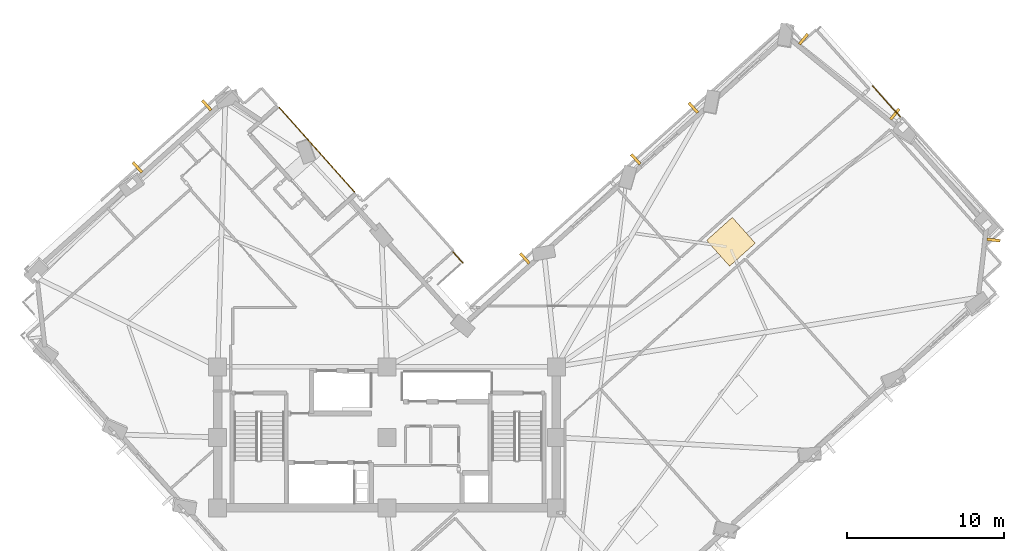
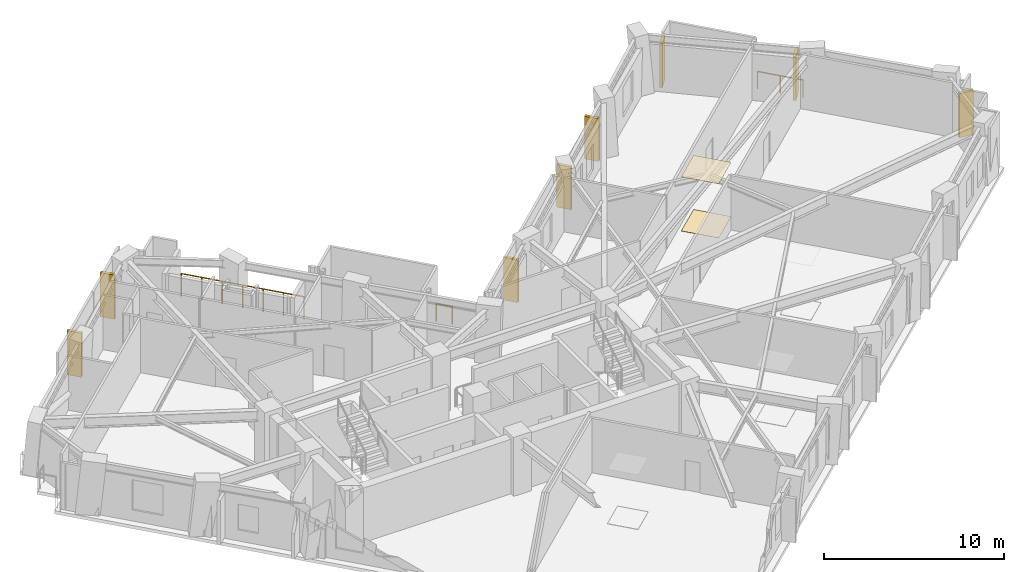
# One storey, part 13 of 14: 8 shading devices, 3 railings, 2 coverings.
"""IFC4 building model written with IfcOpenShell, lengths in metres."""

from ifc_helpers import new_model, si_unit, direction, frame, origin, origin_2d, place, context, subcontext, project, spatial, rectangle, circle, extrude, material, layer, layer_set, type_object, element, save


model = new_model("IFC4")

# Units and contexts
model_context = context("Model", 3, precision=1e-05, world=origin(), true_north=direction((0.0, 1.0)))
body_context = subcontext(model_context, "Body", "Model", "MODEL_VIEW")
ifc_project = project(units=[si_unit("LENGTHUNIT", "METRE"), si_unit("AREAUNIT", "SQUARE_METRE"), si_unit("VOLUMEUNIT", "CUBIC_METRE"), si_unit("PLANEANGLEUNIT", "RADIAN"), si_unit("MASSUNIT", "GRAM", prefix="KILO")], contexts=[model_context])

# Site, building, storey
site_placement = place(None, origin())
site = spatial("IfcSite", under=ifc_project, at=site_placement, CompositionType="ELEMENT")
building_placement = place(site_placement, origin())
building = spatial("IfcBuilding", under=site, at=building_placement, Name="Gaonmaruhae Medical Tower", CompositionType="ELEMENT")
storey_placement = place(building_placement, frame((0.0, 0.0, 201.800048828125)))
storey = spatial("IfcBuildingStorey", under=building, at=storey_placement, Name="L48", CompositionType="ELEMENT", Elevation=201.800048828125)

# Coverings
ifc_material_1 = material(Name="Acoustic mineral ceiling tile", Category="finish")
ifc_layer_1 = layer(ifc_material_1, 0.02490234375)
ifc_layer_set_1 = layer_set([ifc_layer_1], Name="Acoustic mineral ceiling tile")
covering_type_1 = type_object("IfcCoveringType", Name="CLG-01 Antimicrobial Acoustic Mineral Ceiling", PredefinedType="CEILING", material=ifc_layer_set_1)
covering_1_placement = place(storey_placement, frame((46.733154296875, 24.771484375, 3.675048828125), z_axis=(0.0, 0.0, 1.0), x_axis=(0.745475999683, 0.666532470249, 0.0)))
element("IfcCovering", 1, at=covering_1_placement, inside=storey, type_object=covering_type_1, Name="L48 Clinical Corridor Acoustic Ceiling", PredefinedType="CEILING", context=body_context, shape_type="SweptSolid", body=[
    extrude(rectangle(XDim=2.199951171875, YDim=2.199951171875, at=origin_2d()), origin(), (0.0, 0.0, 1.0), 0.02490234375),
])
ifc_material_2 = material(Name="Seamless clinical vinyl flooring", Category="finish")
ifc_layer_2 = layer(ifc_material_2, 0.014892578125)
ifc_layer_set_2 = layer_set([ifc_layer_2], Name="Seamless clinical vinyl flooring")
covering_type_2 = type_object("IfcCoveringType", Name="FLR-01 Seamless Clinical Antistatic Vinyl Flooring", PredefinedType="FLOORING", material=ifc_layer_set_2)
covering_2_placement = place(storey_placement, frame((46.733154296875, 24.771484375, 0.00048828125), z_axis=(0.0, 0.0, 1.0), x_axis=(0.745475999683, 0.666532470249, 0.0)))
element("IfcCovering", 2, at=covering_2_placement, inside=storey, type_object=covering_type_2, Name="L48 Clinical Corridor Vinyl Flooring", PredefinedType="FLOORING", context=body_context, shape_type="SweptSolid", body=[
    extrude(rectangle(XDim=2.199951171875, YDim=2.199951171875, at=origin_2d()), origin(), (0.0, 0.0, 1.0), 0.014892578125),
])

# Railings
ifc_material_3 = material(Name="Stainless steel 316L and laminated safety glass", Category="steel")
ifc_layer_3 = layer(ifc_material_3, 0.080078125)
ifc_layer_set_3 = layer_set([ifc_layer_3], Name="Stainless steel 316L and laminated safety glass")
railing_type_1 = type_object("IfcRailingType", Name="GD-120 Outdoor Terrace Safety Glass & Steel Balustrade", PredefinedType="BALUSTRADE", material=ifc_layer_set_3)
railing_1_placement = place(storey_placement, frame((55.7744140625, 34.701416015625, 0.0)))
element("IfcRailing", 3, at=railing_1_placement, inside=storey, type_object=railing_type_1, Name="L48 Perimeter Slab Edge Safety Balustrade 02", PredefinedType="BALUSTRADE", context=body_context, shape_type="SweptSolid", body=[
    extrude(circle(Radius=0.02392578125, at=origin_2d()), frame((0.0, 0.0, 1.17578125), z_axis=(0.666486247139, -0.745517325335, 0.0), x_axis=(0.745517325335, 0.666486247139, 0.0)), (0.0, 0.0, 1.0), 2.65966796875),
    extrude(circle(Radius=0.02099609375, at=origin_2d()), origin(), (0.0, 0.0, 1.0), 1.15185546875),
    extrude(circle(Radius=0.02099609375, at=origin_2d()), frame((0.88623046875, -0.991455078125, 0.0)), (0.0, 0.0, 1.0), 1.15185546875),
    extrude(circle(Radius=0.02099609375, at=origin_2d()), frame((1.772705078125, -1.98291015625, 0.0)), (0.0, 0.0, 1.0), 1.15185546875),
])
railing_2_placement = place(storey_placement, frame((29.010009765625, 24.12744140625, 0.0)))
element("IfcRailing", 4, at=railing_2_placement, inside=storey, type_object=railing_type_1, Name="L48 Perimeter Slab Edge Safety Balustrade 09", PredefinedType="BALUSTRADE", context=body_context, shape_type="SweptSolid", body=[
    extrude(circle(Radius=0.02392578125, at=origin_2d()), frame((0.0, 0.0, 1.17578125), z_axis=(0.666574193848, -0.745438692379, 0.0), x_axis=(0.745438692379, 0.666574193848, 0.0)), (0.0, 0.0, 1.0), 0.93798828125),
    extrude(circle(Radius=0.02099609375, at=origin_2d()), origin(), (0.0, 0.0, 1.0), 1.15185546875),
    extrude(circle(Radius=0.02099609375, at=origin_2d()), frame((0.625244140625, -0.69921875, 0.0)), (0.0, 0.0, 1.0), 1.15185546875),
])
ifc_layer_4 = layer(ifc_material_3, 0.080078125)
ifc_layer_set_4 = layer_set([ifc_layer_4], Name="Stainless steel 316L and laminated safety glass")
railing_type_2 = type_object("IfcRailingType", Name="GD-155 Planter-Edge Raised Safety Balustrade", PredefinedType="BALUSTRADE", material=ifc_layer_set_4)
railing_3_placement = place(storey_placement, frame((22.728515625, 27.95751953125, 0.0)))
element("IfcRailing", 5, at=railing_3_placement, inside=storey, type_object=railing_type_2, Name="L48 Terrace Safety Guard RL-SLB-L48-TER-02", PredefinedType="BALUSTRADE", context=body_context, shape_type="SweptSolid", body=[
    extrude(circle(Radius=0.02392578125, at=origin_2d()), frame((0.0, 0.0, 1.52587890625), z_axis=(-0.666551982452, 0.745458553301, 0.0), x_axis=(-0.745458553301, -0.666551982452, 0.0)), (0.0, 0.0, 1.0), 7.199951171875),
    extrude(circle(Radius=0.02099609375, at=origin_2d()), origin(), (0.0, 0.0, 1.0), 1.501953125),
    extrude(circle(Radius=0.02099609375, at=origin_2d()), frame((-0.7998046875, 0.89453125, 0.0)), (0.0, 0.0, 1.0), 1.501953125),
    extrude(circle(Radius=0.02099609375, at=origin_2d()), frame((-1.599609375, 1.7890625, 0.0)), (0.0, 0.0, 1.0), 1.501953125),
    extrude(circle(Radius=0.02099609375, at=origin_2d()), frame((-2.3994140625, 2.68359375, 0.0)), (0.0, 0.0, 1.0), 1.501953125),
    extrude(circle(Radius=0.02099609375, at=origin_2d()), frame((-3.199462890625, 3.578125, 0.0)), (0.0, 0.0, 1.0), 1.501953125),
    extrude(circle(Radius=0.02099609375, at=origin_2d()), frame((-3.999267578125, 4.47265625, 0.0)), (0.0, 0.0, 1.0), 1.501953125),
    extrude(circle(Radius=0.02099609375, at=origin_2d()), frame((-4.799072265625, 5.3671875, 0.0)), (0.0, 0.0, 1.0), 1.501953125),
])

# Shading devices
ifc_material_4 = material(Name="Pigmented coral precast concrete C45/55", Category="concrete")
shading_device_type = type_object("IfcShadingDeviceType", Name="SD-FIN1 Tower Vertical Coral Precast Shading Fin", PredefinedType="USERDEFINED", material=ifc_material_4)
for number, where, z_axis, x_axis, name in (
    (6, (63.484130859375, 24.88330078125, 0.092529296875), (0.0, 0.0, 1.0), (-0.11758939424, -0.99306230135, 0.0), "L48 Vertical Coral Precast Shading Fin S07"),
    (7, (51.364501953125, 37.694091796875, 0.092529296875), (0.0, 0.0, 1.0), (0.772633860729, -0.634851886077, 0.0), "L48 Vertical Coral Precast Shading Fin E02"),
    (8, (57.188232421875, 32.90869140625, 0.092529296875), (0.0, 0.0, 1.0), (0.772633860729, -0.634851886077, 0.0), "L48 Vertical Coral Precast Shading Fin E02B"),
):
    element("IfcShadingDevice", number, at=place(storey_placement, frame(where, z_axis=z_axis, x_axis=x_axis)), inside=storey, type_object=shading_device_type, Name=name, ObjectType="FIN", PredefinedType="USERDEFINED", context=body_context, shape_type="SweptSolid", body=[
        extrude(rectangle(XDim=0.179931640625, YDim=0.85009765625, at=origin_2d()), origin(), (0.0, 0.0, 1.0), 3.0),
    ])
for number, where, z_axis, x_axis, name in (
    (9, (40.66162109375, 30.033935546875, 0.0400390625), (0.0, 0.0, 1.0), (0.745475999683, 0.666532470249, 0.0), "L48 Vertical Coral Precast Shading Fin EN01"),
    (10, (44.334228515625, 33.317626953125, 0.0400390625), (0.0, 0.0, 1.0), (0.745475999683, 0.666532470249, 0.0), "L48 Vertical Coral Precast Shading Fin EN01B"),
    (11, (33.588623046875, 23.7099609375, 0.0400390625), (0.0, 0.0, 1.0), (0.745487632755, 0.666519459137, 0.0), "L48 Vertical Coral Precast Shading Fin EN03B"),
):
    element("IfcShadingDevice", number, at=place(storey_placement, frame(where, z_axis=z_axis, x_axis=x_axis)), inside=storey, type_object=shading_device_type, Name=name, ObjectType="FIN", PredefinedType="USERDEFINED", context=body_context, shape_type="SweptSolid", body=[
        extrude(rectangle(XDim=0.179931640625, YDim=0.85009765625, at=origin_2d()), origin(), (0.0, 0.0, 1.0), 2.905029296875),
    ])
for number, where, z_axis, x_axis, name in (
    (12, (8.879638671875, 29.519287109375, 0.092529296875), (0.0, 0.0, 1.0), (0.745475999683, 0.666532470249, 0.0), "L48 Vertical Coral Precast Shading Fin N01"),
    (13, (13.30078125, 33.47216796875, 0.092529296875), (0.0, 0.0, 1.0), (0.745475999683, 0.666532470249, 0.0), "L48 Vertical Coral Precast Shading Fin N01B"),
):
    element("IfcShadingDevice", number, at=place(storey_placement, frame(where, z_axis=z_axis, x_axis=x_axis)), inside=storey, type_object=shading_device_type, Name=name, ObjectType="FIN", PredefinedType="USERDEFINED", context=body_context, shape_type="SweptSolid", body=[
        extrude(rectangle(XDim=0.179931640625, YDim=0.85009765625, at=origin_2d()), origin(), (0.0, 0.0, 1.0), 3.0),
    ])

save(model, "model.ifc")
